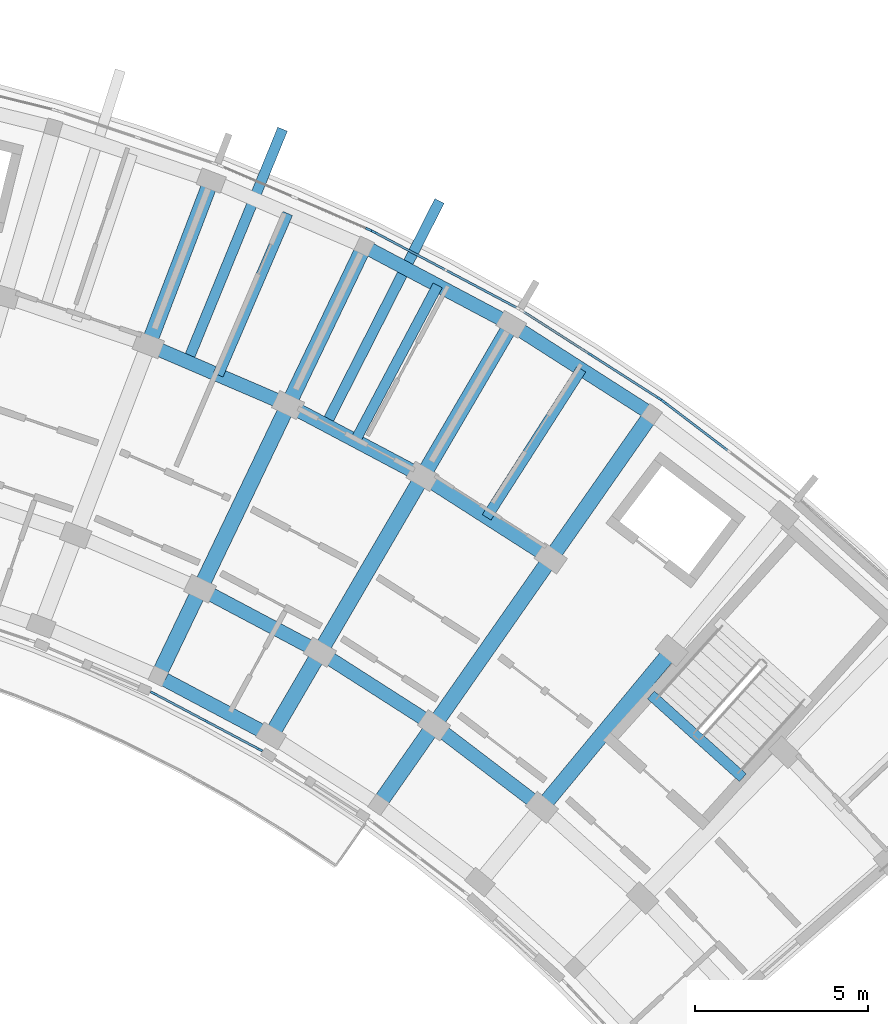
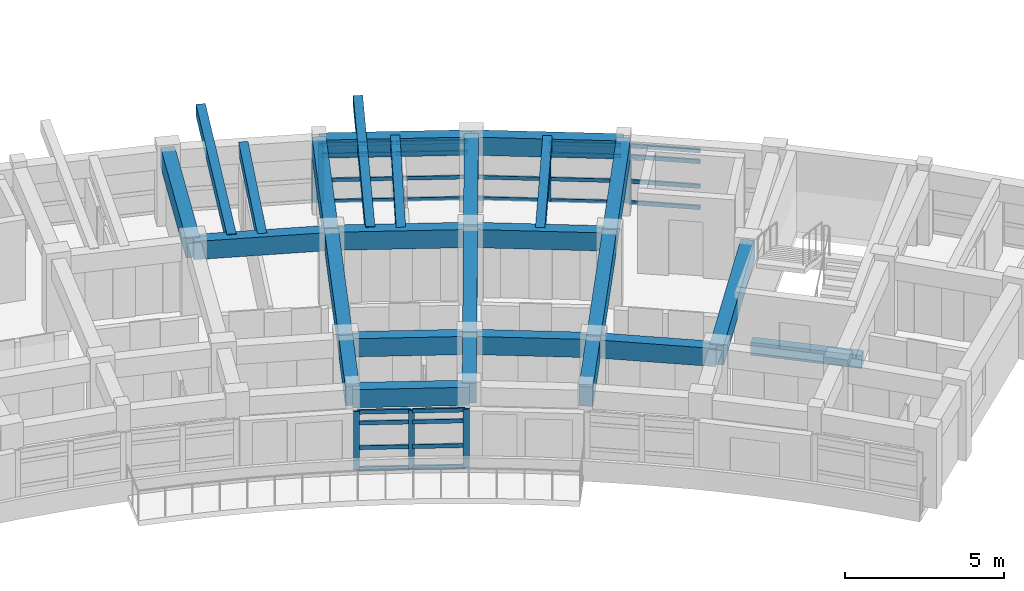
# One storey, part 14 of 56: 34 members, 26 beams, 5 elements without a shape of their own.
"""IFC4 building model written with IfcOpenShell, lengths in metres."""

from ifc_helpers import new_model, si_unit, direction, frame, origin, origin_2d, place, context, subcontext, project, spatial, rectangle, extrude, material, material_profile, profile_set, type_object, element, aggregate, save


model = new_model("IFC4")

# Units and contexts
model_context = context("Model", 3, precision=1e-05, world=origin(), true_north=direction((0.0, 1.0)))
body_context = subcontext(model_context, "Body", "Model", "MODEL_VIEW")
ifc_project = project(units=[si_unit("LENGTHUNIT", "METRE"), si_unit("AREAUNIT", "SQUARE_METRE"), si_unit("VOLUMEUNIT", "CUBIC_METRE"), si_unit("PLANEANGLEUNIT", "RADIAN"), si_unit("MASSUNIT", "GRAM", prefix="KILO")], contexts=[model_context])

# Site, building, storey
site_placement = place(None, origin())
site = spatial("IfcSite", under=ifc_project, at=site_placement, CompositionType="ELEMENT")
building_placement = place(site_placement, origin())
building = spatial("IfcBuilding", under=site, at=building_placement, Name="Zimvara Arc Housing Community", CompositionType="ELEMENT")
storey_placement = place(building_placement, frame((0.0, 0.0, 11.199951171875)))
storey = spatial("IfcBuildingStorey", under=building, at=storey_placement, Name="L03", CompositionType="ELEMENT", Elevation=11.199951171875)

# Beams
ifc_material_1 = material(Name="Concrete C40/50", Category="concrete")
ifc_material_profile_1 = material_profile(ifc_material_1, rectangle(XDim=0.300048828125, YDim=0.449951171875, at=origin_2d()), Name="RC 300x450")
ifc_profile_set_1 = profile_set([ifc_material_profile_1], Name="Concrete C40/50")
beam_type_1 = type_object("IfcBeamType", Name="BM-RC-300x450", PredefinedType="JOIST", material=ifc_profile_set_1)
beam_1_placement = place(storey_placement, frame((66.22802734375, 93.885986328125, 2.635009765625), z_axis=(0.394929109608, 0.918711596958, 0.0), x_axis=(-0.918711596958, 0.394929109608, 0.0)))
element("IfcBeam", 1, at=beam_1_placement, inside=storey, type_object=beam_type_1, Name="bm:blkB:L03:joist:b4", PredefinedType="JOIST", context=body_context, shape_type="SweptSolid", body=[
    extrude(rectangle(XDim=0.300048828125, YDim=0.449951171875, at=origin_2d()), origin(), (0.0, 0.0, 1.0), 5.075927734375),
])
for number, where, z_axis, x_axis, name in (
    (2, (70.186767578125, 91.9892578125, 2.635009765625), (0.46853732736, 0.883443701019, 0.0), (-0.883443701019, 0.46853732736, 0.0), "bm:blkB:L03:joist:b5"),
    (3, (73.9775390625, 89.776123046875, 2.635009765625), (0.539052331508, 0.842272274206, 0.0), (-0.842272274206, 0.539052331508, 0.0), "bm:blkB:L03:joist:b6"),
):
    element("IfcBeam", number, at=place(storey_placement, frame(where, z_axis=z_axis, x_axis=x_axis)), inside=storey, type_object=beam_type_1, Name=name, PredefinedType="JOIST", context=body_context, shape_type="SweptSolid", body=[
        extrude(rectangle(XDim=0.300048828125, YDim=0.449951171875, at=origin_2d()), origin(), (0.0, 0.0, 1.0), 5.07568359375),
    ])
for number, where, z_axis, x_axis, name in (
    (4, (65.354248046875, 94.301025390625, 2.6650390625), (0.37834711263, 0.925663795535, 0.0), (-0.925663795535, 0.37834711263, 0.0), "bm:blkB:L03:cant_out:b4"),
    (5, (69.349609375, 92.474365234375, 2.6650390625), (0.45261583812, 0.891705614585, 0.0), (-0.891705614585, 0.45261583812, 0.0), "bm:blkB:L03:cant_out:b5"),
):
    element("IfcBeam", number, at=place(storey_placement, frame(where, z_axis=z_axis, x_axis=x_axis)), inside=storey, type_object=beam_type_1, Name=name, PredefinedType="JOIST", context=body_context, shape_type="SweptSolid", body=[
        extrude(rectangle(XDim=0.300048828125, YDim=0.449951171875, at=origin_2d()), origin(), (0.0, 0.0, 1.0), 7.219970703125),
    ])
ifc_material_2 = material(Name="Concrete C40/50", Category="concrete")
ifc_material_profile_2 = material_profile(ifc_material_2, rectangle(XDim=0.300048828125, YDim=0.5, at=origin_2d()), Name="RC 300x500")
ifc_profile_set_2 = profile_set([ifc_material_profile_2], Name="Concrete C40/50")
beam_type_2 = type_object("IfcBeamType", Name="BM-RC-300x500", PredefinedType="BEAM", material=ifc_profile_set_2)
beam_2_placement = place(storey_placement, frame((81.375732421875, 82.259033203125, -0.25), z_axis=(-0.743362151162, 0.668889162881, 0.0), x_axis=(-0.668889162881, -0.743362151162, 0.0)))
element("IfcBeam", 6, at=beam_2_placement, inside=storey, type_object=beam_type_2, Name="bm:stair_trim:ST-B2:L03:near", PredefinedType="BEAM", context=body_context, shape_type="SweptSolid", body=[
    extrude(rectangle(XDim=0.300048828125, YDim=0.5, at=origin_2d()), origin(), (0.0, 0.0, 1.0), 3.570068359375),
])
ifc_material_3 = material(Name="Concrete C40/50", Category="concrete")
ifc_material_profile_3 = material_profile(ifc_material_3, rectangle(XDim=0.39990234375, YDim=0.699951171875, at=origin_2d()), Name="RC 400x700")
ifc_profile_set_3 = profile_set([ifc_material_profile_3], Name="Concrete C40/50")
beam_type_3 = type_object("IfcBeamType", Name="BM-RC-400x700", PredefinedType="BEAM", material=ifc_profile_set_3)
beam_3_placement = place(storey_placement, frame((64.49560546875, 85.190673828125, 2.510009765625), z_axis=(0.883449220086, -0.468526920815, 0.0), x_axis=(0.468526920815, 0.883449220086, 0.0)))
element("IfcBeam", 7, at=beam_3_placement, inside=storey, type_object=beam_type_3, Name="bm:blkB:L03:chord:r0:b5", PredefinedType="BEAM", context=body_context, shape_type="SweptSolid", body=[
    extrude(rectangle(XDim=0.39990234375, YDim=0.699951171875, at=origin_2d()), origin(), (0.0, 0.0, 1.0), 3.6845703125),
])
beam_4_placement = place(storey_placement, frame((65.70556640625, 87.7158203125, 2.510009765625), z_axis=(0.883438625159, -0.468546897948, 0.0), x_axis=(0.468546897948, 0.883438625159, 0.0)))
element("IfcBeam", 8, at=beam_4_placement, inside=storey, type_object=beam_type_3, Name="bm:blkB:L03:chord:r1:b5", PredefinedType="BEAM", context=body_context, shape_type="SweptSolid", body=[
    extrude(rectangle(XDim=0.39990234375, YDim=0.699951171875, at=origin_2d()), origin(), (0.0, 0.0, 1.0), 3.9130859375),
])
beam_5_placement = place(storey_placement, frame((69.16259765625, 85.88232421875, 2.510009765625), z_axis=(0.842253269878, -0.539082024724, 0.0), x_axis=(0.539082024724, 0.842253269878, 0.0)))
element("IfcBeam", 9, at=beam_5_placement, inside=storey, type_object=beam_type_3, Name="bm:blkB:L03:chord:r1:b6", PredefinedType="BEAM", context=body_context, shape_type="SweptSolid", body=[
    extrude(rectangle(XDim=0.39990234375, YDim=0.699951171875, at=origin_2d()), origin(), (0.0, 0.0, 1.0), 3.912841796875),
])
beam_6_placement = place(storey_placement, frame((72.458251953125, 83.77294921875, 2.510009765625), z_axis=(0.795470387579, -0.605992460749, 0.0), x_axis=(0.605992460749, 0.795470387579, 0.0)))
element("IfcBeam", 10, at=beam_6_placement, inside=storey, type_object=beam_type_3, Name="bm:blkB:L03:chord:r1:b7", PredefinedType="BEAM", context=body_context, shape_type="SweptSolid", body=[
    extrude(rectangle(XDim=0.39990234375, YDim=0.699951171875, at=origin_2d()), origin(), (0.0, 0.0, 1.0), 3.9130859375),
])
for number, where, z_axis, x_axis, name in (
    (11, (64.2099609375, 94.75341796875, 2.510009765625), (0.918724840088, -0.394898301093, 0.0), (0.394898301093, 0.918724840088, 0.0), "bm:blkB:L03:chord:r2:b4"),
    (12, (68.24609375, 93.0185546875, 2.510009765625), (0.883456526058, -0.468513144496, 0.0), (0.468513144496, 0.883456526058, 0.0), "bm:blkB:L03:chord:r2:b5"),
    (13, (72.12744140625, 90.960205078125, 2.510009765625), (0.842242131326, -0.539099427025, 0.0), (0.539099427025, 0.842242131326, 0.0), "bm:blkB:L03:chord:r2:b6"),
):
    element("IfcBeam", number, at=place(storey_placement, frame(where, z_axis=z_axis, x_axis=x_axis)), inside=storey, type_object=beam_type_3, Name=name, PredefinedType="BEAM", context=body_context, shape_type="SweptSolid", body=[
        extrude(rectangle(XDim=0.39990234375, YDim=0.699951171875, at=origin_2d()), origin(), (0.0, 0.0, 1.0), 4.393310546875),
    ])
beam_7_placement = place(storey_placement, frame((70.441162109375, 97.599853515625, 2.510009765625), z_axis=(0.883445542299, -0.468533855546, 0.0), x_axis=(0.468533855546, 0.883445542299, 0.0)))
element("IfcBeam", 14, at=beam_7_placement, inside=storey, type_object=beam_type_3, Name="bm:blkB:L03:chord:r3:b5", PredefinedType="BEAM", context=body_context, shape_type="SweptSolid", body=[
    extrude(rectangle(XDim=0.39990234375, YDim=0.699951171875, at=origin_2d()), origin(), (0.0, 0.0, 1.0), 4.807861328125),
])
beam_8_placement = place(storey_placement, frame((74.688720703125, 95.34716796875, 2.510009765625), z_axis=(0.842255724028, -0.539078190379, 0.0), x_axis=(0.539078190379, 0.842255724028, 0.0)))
element("IfcBeam", 15, at=beam_8_placement, inside=storey, type_object=beam_type_3, Name="bm:blkB:L03:chord:r3:b6", PredefinedType="BEAM", context=body_context, shape_type="SweptSolid", body=[
    extrude(rectangle(XDim=0.39990234375, YDim=0.699951171875, at=origin_2d()), origin(), (0.0, 0.0, 1.0), 4.808349609375),
])
ifc_material_4 = material(Name="Concrete C40/50", Category="concrete")
ifc_material_profile_4 = material_profile(ifc_material_4, rectangle(XDim=0.449951171875, YDim=0.75, at=origin_2d()), Name="RC 450x750")
ifc_profile_set_4 = profile_set([ifc_material_profile_4], Name="Concrete C40/50")
beam_type_4 = type_object("IfcBeamType", Name="BM-RC-450x750", PredefinedType="BEAM", material=ifc_profile_set_4)
beam_9_placement = place(storey_placement, frame((64.2099609375, 94.75341796875, 2.485107421875), z_axis=(0.357078271386, 0.934074466038, 0.0), x_axis=(-0.934074466038, 0.357078271386, 0.0)))
element("IfcBeam", 16, at=beam_9_placement, inside=storey, type_object=beam_type_4, Name="bm:blkB:L03:rad:b4:r23", PredefinedType="BEAM", context=body_context, shape_type="SweptSolid", body=[
    extrude(rectangle(XDim=0.449951171875, YDim=0.75, at=origin_2d()), origin(), (0.0, 0.0, 1.0), 5.080078125),
])
beam_10_placement = place(storey_placement, frame((64.49560546875, 85.190673828125, 2.485107421875), z_axis=(0.432118703138, 0.901816736593, 0.0), x_axis=(-0.901816736593, 0.432118703138, 0.0)))
element("IfcBeam", 17, at=beam_10_placement, inside=storey, type_object=beam_type_4, Name="bm:blkB:L03:rad:b5:r01", PredefinedType="BEAM", context=body_context, shape_type="SweptSolid", body=[
    extrude(rectangle(XDim=0.449951171875, YDim=0.75, at=origin_2d()), origin(), (0.0, 0.0, 1.0), 2.800048828125),
])
beam_11_placement = place(storey_placement, frame((65.70556640625, 87.7158203125, 2.485107421875), z_axis=(0.432069527705, 0.901840298073, 0.0), x_axis=(-0.901840298073, 0.432069527705, 0.0)))
element("IfcBeam", 18, at=beam_11_placement, inside=storey, type_object=beam_type_4, Name="bm:blkB:L03:rad:b5:r12", PredefinedType="BEAM", context=body_context, shape_type="SweptSolid", body=[
    extrude(rectangle(XDim=0.449951171875, YDim=0.75, at=origin_2d()), origin(), (0.0, 0.0, 1.0), 5.8798828125),
])
beam_12_placement = place(storey_placement, frame((68.24609375, 93.0185546875, 2.485107421875), z_axis=(0.432098194978, 0.901826563091, 0.0), x_axis=(-0.901826563091, 0.432098194978, 0.0)))
element("IfcBeam", 19, at=beam_12_placement, inside=storey, type_object=beam_type_4, Name="bm:blkB:L03:rad:b5:r23", PredefinedType="BEAM", context=body_context, shape_type="SweptSolid", body=[
    extrude(rectangle(XDim=0.449951171875, YDim=0.75, at=origin_2d()), origin(), (0.0, 0.0, 1.0), 5.080078125),
])
beam_13_placement = place(storey_placement, frame((67.750732421875, 83.46435546875, 2.485107421875), z_axis=(0.504239631668, 0.86356377521, 0.0), x_axis=(-0.86356377521, 0.504239631668, 0.0)))
element("IfcBeam", 20, at=beam_13_placement, inside=storey, type_object=beam_type_4, Name="bm:blkB:L03:rad:b6:r01", PredefinedType="BEAM", context=body_context, shape_type="SweptSolid", body=[
    extrude(rectangle(XDim=0.449951171875, YDim=0.75, at=origin_2d()), origin(), (0.0, 0.0, 1.0), 2.800048828125),
])
beam_14_placement = place(storey_placement, frame((69.16259765625, 85.88232421875, 2.485107421875), z_axis=(0.504219494781, 0.863575532934, 0.0), x_axis=(-0.863575532934, 0.504219494781, 0.0)))
element("IfcBeam", 21, at=beam_14_placement, inside=storey, type_object=beam_type_4, Name="bm:blkB:L03:rad:b6:r12", PredefinedType="BEAM", context=body_context, shape_type="SweptSolid", body=[
    extrude(rectangle(XDim=0.449951171875, YDim=0.75, at=origin_2d()), origin(), (0.0, 0.0, 1.0), 5.880126953125),
])
beam_15_placement = place(storey_placement, frame((72.12744140625, 90.960205078125, 2.485107421875), z_axis=(0.504196701544, 0.863588840915, 0.0), x_axis=(-0.863588840915, 0.504196701544, 0.0)))
element("IfcBeam", 22, at=beam_15_placement, inside=storey, type_object=beam_type_4, Name="bm:blkB:L03:rad:b6:r23", PredefinedType="BEAM", context=body_context, shape_type="SweptSolid", body=[
    extrude(rectangle(XDim=0.449951171875, YDim=0.75, at=origin_2d()), origin(), (0.0, 0.0, 1.0), 5.079833984375),
])
beam_16_placement = place(storey_placement, frame((70.85400390625, 81.478271484375, 2.485107421875), z_axis=(0.57297651105, 0.819571789281, 0.0), x_axis=(-0.819571789281, 0.57297651105, 0.0)))
element("IfcBeam", 23, at=beam_16_placement, inside=storey, type_object=beam_type_4, Name="bm:blkB:L03:rad:b7:r01", PredefinedType="BEAM", context=body_context, shape_type="SweptSolid", body=[
    extrude(rectangle(XDim=0.449951171875, YDim=0.75, at=origin_2d()), origin(), (0.0, 0.0, 1.0), 2.7998046875),
])
beam_17_placement = place(storey_placement, frame((72.458251953125, 83.77294921875, 2.485107421875), z_axis=(0.573027549978, 0.819536104736, 0.0), x_axis=(-0.819536104736, 0.573027549978, 0.0)))
element("IfcBeam", 24, at=beam_17_placement, inside=storey, type_object=beam_type_4, Name="bm:blkB:L03:rad:b7:r12", PredefinedType="BEAM", context=body_context, shape_type="SweptSolid", body=[
    extrude(rectangle(XDim=0.449951171875, YDim=0.75, at=origin_2d()), origin(), (0.0, 0.0, 1.0), 5.8798828125),
])
beam_18_placement = place(storey_placement, frame((75.82763671875, 88.591796875, 2.485107421875), z_axis=(0.573007469479, 0.819550144848, 0.0), x_axis=(-0.819550144848, 0.573007469479, 0.0)))
element("IfcBeam", 25, at=beam_18_placement, inside=storey, type_object=beam_type_4, Name="bm:blkB:L03:rad:b7:r23", PredefinedType="BEAM", context=body_context, shape_type="SweptSolid", body=[
    extrude(rectangle(XDim=0.449951171875, YDim=0.75, at=origin_2d()), origin(), (0.0, 0.0, 1.0), 5.080078125),
])
beam_19_placement = place(storey_placement, frame((75.571044921875, 81.401611328125, 2.485107421875), z_axis=(0.637955964415, 0.770072845559, 0.0), x_axis=(-0.770072845559, 0.637955964415, 0.0)))
element("IfcBeam", 26, at=beam_19_placement, inside=storey, type_object=beam_type_4, Name="bm:blkB:L03:rad:b8:r12", PredefinedType="BEAM", context=body_context, shape_type="SweptSolid", body=[
    extrude(rectangle(XDim=0.449951171875, YDim=0.75, at=origin_2d()), origin(), (0.0, 0.0, 1.0), 5.880126953125),
])

# Curtain wall, member
ifc_material_5 = material(Name="Anodised Aluminium AW-6063", Category="aluminium")
curtain_wall_type_1 = type_object("IfcCurtainWallType", Name="CW-SYS-06", PredefinedType="USERDEFINED", material=ifc_material_5)
curtain_wall_1_placement = place(storey_placement, origin())
curtain_wall_1 = element("IfcCurtainWall", 27, at=curtain_wall_1_placement, inside=storey, type_object=curtain_wall_type_1, Name="cw:blkB:L03:out:b5", ObjectType="CURTAIN WALL", PredefinedType="USERDEFINED")
ifc_material_6 = material(Name="Anodised Aluminium AW-6063", Category="aluminium")
ifc_material_profile_5 = material_profile(ifc_material_6, rectangle(XDim=0.06494140625, YDim=0.179931640625, at=origin_2d()), Name="ALU 65x180")
ifc_profile_set_5 = profile_set([ifc_material_profile_5], Name="Anodised Aluminium AW-6063")
member_type_1 = type_object("IfcMemberType", Name="CWM-65x150", PredefinedType="MULLION", material=ifc_profile_set_5)
member_1_placement = place(storey_placement, frame((70.739013671875, 98.007568359375, 0.0), z_axis=(0.0, 0.0, 1.0), x_axis=(0.468546917761, 0.883438614651, 0.0)))
member_1 = element("IfcMember", 28, at=member_1_placement, type_object=member_type_1, Name="CW06 mullion 1", PredefinedType="MULLION", context=body_context, shape_type="SweptSolid", body=[
    extrude(rectangle(XDim=0.06494140625, YDim=0.179931640625, at=origin_2d()), origin(), (0.0, 0.0, 1.0), 2.25),
])

# Curtain wall, members
ifc_material_7 = material(Name="Anodised Aluminium AW-6063", Category="aluminium")
curtain_wall_type_2 = type_object("IfcCurtainWallType", Name="CW-SYS-08", PredefinedType="USERDEFINED", material=ifc_material_7)
curtain_wall_2_placement = place(storey_placement, origin())
curtain_wall_2 = element("IfcCurtainWall", 29, at=curtain_wall_2_placement, inside=storey, type_object=curtain_wall_type_2, Name="cw:blkB:L03:out:b6", ObjectType="CURTAIN WALL", PredefinedType="USERDEFINED")
member_2_placement = place(storey_placement, frame((76.98291015625, 94.471923828125, 0.0), z_axis=(0.0, 0.0, 1.0), x_axis=(0.539064617721, 0.842264410931, 0.0)))
member_2 = element("IfcMember", 30, at=member_2_placement, type_object=member_type_1, Name="CW08 mullion 2", PredefinedType="MULLION", context=body_context, shape_type="SweptSolid", body=[
    extrude(rectangle(XDim=0.06494140625, YDim=0.179931640625, at=origin_2d()), origin(), (0.0, 0.0, 1.0), 2.25),
])
member_3_placement = place(storey_placement, frame((78.947021484375, 93.21484375, 0.0), z_axis=(0.0, 0.0, 1.0), x_axis=(0.539064617721, 0.842264410931, 0.0)))
member_3 = element("IfcMember", 31, at=member_3_placement, type_object=member_type_1, Name="CW08 mullion 3", PredefinedType="MULLION", context=body_context, shape_type="SweptSolid", body=[
    extrude(rectangle(XDim=0.06494140625, YDim=0.179931640625, at=origin_2d()), origin(), (0.0, 0.0, 1.0), 2.25),
])

# Curtain wall, member
ifc_material_8 = material(Name="Anodised Aluminium AW-6063", Category="aluminium")
curtain_wall_type_3 = type_object("IfcCurtainWallType", Name="CW-SYS-05", PredefinedType="USERDEFINED", material=ifc_material_8)
curtain_wall_3_placement = place(storey_placement, origin())
curtain_wall_3 = element("IfcCurtainWall", 32, at=curtain_wall_3_placement, inside=storey, type_object=curtain_wall_type_3, Name="cw:blkB:L03:out:b4", ObjectType="CURTAIN WALL", PredefinedType="USERDEFINED")
ifc_material_9 = material(Name="Anodised Aluminium AW-6063", Category="aluminium")
ifc_material_profile_6 = material_profile(ifc_material_9, rectangle(XDim=0.06494140625, YDim=0.195068359375, at=origin_2d()), Name="ALU 65x195")
ifc_profile_set_6 = profile_set([ifc_material_profile_6], Name="Anodised Aluminium AW-6063")
member_type_2 = type_object("IfcMemberType", Name="CWM-65x180", PredefinedType="MULLION", material=ifc_profile_set_6)
member_4_placement = place(storey_placement, frame((70.572265625, 98.08740234375, 0.0), z_axis=(0.0, 0.0, 1.0), x_axis=(0.394904211998, 0.918722299363, 0.0)))
member_4 = element("IfcMember", 33, at=member_4_placement, type_object=member_type_2, Name="CW05 mullion 3", PredefinedType="MULLION", context=body_context, shape_type="SweptSolid", body=[
    extrude(rectangle(XDim=0.06494140625, YDim=0.195068359375, at=origin_2d()), origin(), (0.0, 0.0, 1.0), 2.25),
])
aggregate(curtain_wall_3, [member_4])

# Curtain wall, members
ifc_material_10 = material(Name="Anodised Aluminium AW-6063", Category="aluminium")
curtain_wall_type_4 = type_object("IfcCurtainWallType", Name="CW-SYS-07", PredefinedType="USERDEFINED", material=ifc_material_10)
curtain_wall_4_placement = place(storey_placement, origin())
curtain_wall_4 = element("IfcCurtainWall", 34, at=curtain_wall_4_placement, inside=storey, type_object=curtain_wall_type_4, Name="cw:blkB:L03:in:b5", ObjectType="CURTAIN WALL", PredefinedType="USERDEFINED")
member_5_placement = place(storey_placement, frame((64.361328125, 84.696533203125, 0.0), z_axis=(0.0, 0.0, 1.0), x_axis=(0.468544648573, 0.88343981815, 0.0)))
member_5 = element("IfcMember", 35, at=member_5_placement, type_object=member_type_2, Name="CW07 mullion 1", PredefinedType="MULLION", context=body_context, shape_type="SweptSolid", body=[
    extrude(rectangle(XDim=0.06494140625, YDim=0.195068359375, at=origin_2d()), origin(), (0.0, 0.0, 1.0), 2.25),
])
member_6_placement = place(storey_placement, frame((65.88916015625, 83.88623046875, 0.0), z_axis=(0.0, 0.0, 1.0), x_axis=(0.468544648573, 0.88343981815, 0.0)))
member_6 = element("IfcMember", 36, at=member_6_placement, type_object=member_type_2, Name="CW07 mullion 2", PredefinedType="MULLION", context=body_context, shape_type="SweptSolid", body=[
    extrude(rectangle(XDim=0.06494140625, YDim=0.195068359375, at=origin_2d()), origin(), (0.0, 0.0, 1.0), 2.25),
])
member_7_placement = place(storey_placement, frame((67.416748046875, 83.075927734375, 0.0), z_axis=(0.0, 0.0, 1.0), x_axis=(0.468544648573, 0.88343981815, 0.0)))
member_7 = element("IfcMember", 37, at=member_7_placement, type_object=member_type_2, Name="CW07 mullion 3", PredefinedType="MULLION", context=body_context, shape_type="SweptSolid", body=[
    extrude(rectangle(XDim=0.06494140625, YDim=0.195068359375, at=origin_2d()), origin(), (0.0, 0.0, 1.0), 2.25),
])

# Curtain wall, member
ifc_material_11 = material(Name="Anodised Aluminium AW-6063", Category="aluminium")
curtain_wall_type_5 = type_object("IfcCurtainWallType", Name="CW-SYS-01", PredefinedType="USERDEFINED", material=ifc_material_11)
curtain_wall_5_placement = place(storey_placement, origin())
curtain_wall_5 = element("IfcCurtainWall", 38, at=curtain_wall_5_placement, inside=storey, type_object=curtain_wall_type_5, Name="cw:blkB:L03:out:b7", ObjectType="CURTAIN WALL", PredefinedType="USERDEFINED")
member_8_placement = place(storey_placement, frame((79.0986328125, 93.10888671875, 0.0), z_axis=(0.0, 0.0, 1.0), x_axis=(0.60598771987, 0.795473999177, 0.0)))
member_8 = element("IfcMember", 39, at=member_8_placement, type_object=member_type_2, Name="CW01 mullion 1", PredefinedType="MULLION", context=body_context, shape_type="SweptSolid", body=[
    extrude(rectangle(XDim=0.06494140625, YDim=0.195068359375, at=origin_2d()), origin(), (0.0, 0.0, 1.0), 2.25),
])

# Member
ifc_material_12 = material(Name="Anodised Aluminium AW-6063", Category="aluminium")
ifc_material_profile_7 = material_profile(ifc_material_12, rectangle(XDim=0.06494140625, YDim=0.139892578125, at=origin_2d()), Name="ALU 65x140")
ifc_profile_set_7 = profile_set([ifc_material_profile_7], Name="Anodised Aluminium AW-6063")
member_type_3 = type_object("IfcMemberType", Name="CWT-65x120", PredefinedType="USERDEFINED", material=ifc_profile_set_7)
member_9_placement = place(storey_placement, frame((70.767578125, 97.9921875, 0.032470703125), z_axis=(0.883489114766, -0.468451688107, 0.0), x_axis=(0.468451688107, 0.883489114766, 0.0)))
member_9 = element("IfcMember", 40, at=member_9_placement, type_object=member_type_3, Name="CW06 transom 1.1", ObjectType="TRANSOM", PredefinedType="USERDEFINED", context=body_context, shape_type="SweptSolid", body=[
    extrude(rectangle(XDim=0.06494140625, YDim=0.139892578125, at=origin_2d()), origin(), (0.0, 0.0, 1.0), 2.26708984375),
])

member_10_placement = place(storey_placement, frame((70.767578125, 97.9921875, 0.85009765625), z_axis=(0.883489114766, -0.468451688107, 0.0), x_axis=(0.468451688107, 0.883489114766, 0.0)))
member_10 = element("IfcMember", 41, at=member_10_placement, type_object=member_type_3, Name="CW06 transom 1.2", ObjectType="TRANSOM", PredefinedType="USERDEFINED", context=body_context, shape_type="SweptSolid", body=[
    extrude(rectangle(XDim=0.06494140625, YDim=0.139892578125, at=origin_2d()), origin(), (0.0, 0.0, 1.0), 2.26708984375),
])

member_11_placement = place(storey_placement, frame((70.767578125, 97.9921875, 1.800048828125), z_axis=(0.883489114766, -0.468451688107, 0.0), x_axis=(0.468451688107, 0.883489114766, 0.0)))
member_11 = element("IfcMember", 42, at=member_11_placement, type_object=member_type_3, Name="CW06 transom 1.3", ObjectType="TRANSOM", PredefinedType="USERDEFINED", context=body_context, shape_type="SweptSolid", body=[
    extrude(rectangle(XDim=0.06494140625, YDim=0.139892578125, at=origin_2d()), origin(), (0.0, 0.0, 1.0), 2.26708984375),
])

member_12_placement = place(storey_placement, frame((70.767578125, 97.9921875, 2.217529296875), z_axis=(0.883489114766, -0.468451688107, 0.0), x_axis=(0.468451688107, 0.883489114766, 0.0)))
member_12 = element("IfcMember", 43, at=member_12_placement, type_object=member_type_3, Name="CW06 transom 1.4", ObjectType="TRANSOM", PredefinedType="USERDEFINED", context=body_context, shape_type="SweptSolid", body=[
    extrude(rectangle(XDim=0.06494140625, YDim=0.139892578125, at=origin_2d()), origin(), (0.0, 0.0, 1.0), 2.26708984375),
])

member_13_placement = place(storey_placement, frame((72.827880859375, 96.899658203125, 0.032470703125), z_axis=(0.883420900208, -0.468580316568, 0.0), x_axis=(0.468580316568, 0.883420900208, 0.0)))
member_13 = element("IfcMember", 44, at=member_13_placement, type_object=member_type_3, Name="CW06 transom 2.1", ObjectType="TRANSOM", PredefinedType="USERDEFINED", context=body_context, shape_type="SweptSolid", body=[
    extrude(rectangle(XDim=0.06494140625, YDim=0.139892578125, at=origin_2d()), origin(), (0.0, 0.0, 1.0), 2.266845703125),
])

member_14_placement = place(storey_placement, frame((72.827880859375, 96.899658203125, 0.85009765625), z_axis=(0.883420900208, -0.468580316568, 0.0), x_axis=(0.468580316568, 0.883420900208, 0.0)))
member_14 = element("IfcMember", 45, at=member_14_placement, type_object=member_type_3, Name="CW06 transom 2.2", ObjectType="TRANSOM", PredefinedType="USERDEFINED", context=body_context, shape_type="SweptSolid", body=[
    extrude(rectangle(XDim=0.06494140625, YDim=0.139892578125, at=origin_2d()), origin(), (0.0, 0.0, 1.0), 2.266845703125),
])

member_15_placement = place(storey_placement, frame((72.827880859375, 96.899658203125, 1.800048828125), z_axis=(0.883420900208, -0.468580316568, 0.0), x_axis=(0.468580316568, 0.883420900208, 0.0)))
member_15 = element("IfcMember", 46, at=member_15_placement, type_object=member_type_3, Name="CW06 transom 2.3", ObjectType="TRANSOM", PredefinedType="USERDEFINED", context=body_context, shape_type="SweptSolid", body=[
    extrude(rectangle(XDim=0.06494140625, YDim=0.139892578125, at=origin_2d()), origin(), (0.0, 0.0, 1.0), 2.266845703125),
])

member_16_placement = place(storey_placement, frame((72.827880859375, 96.899658203125, 2.217529296875), z_axis=(0.883420900208, -0.468580316568, 0.0), x_axis=(0.468580316568, 0.883420900208, 0.0)))
member_16 = element("IfcMember", 47, at=member_16_placement, type_object=member_type_3, Name="CW06 transom 2.4", ObjectType="TRANSOM", PredefinedType="USERDEFINED", context=body_context, shape_type="SweptSolid", body=[
    extrude(rectangle(XDim=0.06494140625, YDim=0.139892578125, at=origin_2d()), origin(), (0.0, 0.0, 1.0), 2.266845703125),
])

aggregate(curtain_wall_1, [member_1, member_9, member_10, member_11, member_12, member_13, member_14, member_15, member_16])

member_17_placement = place(storey_placement, frame((75.046142578125, 95.71142578125, 0.032470703125), z_axis=(0.842292914806, -0.539020079095, 0.0), x_axis=(0.539020079095, 0.842292914806, 0.0)))
member_17 = element("IfcMember", 48, at=member_17_placement, type_object=member_type_3, Name="CW08 transom 1.1", ObjectType="TRANSOM", PredefinedType="USERDEFINED", context=body_context, shape_type="SweptSolid", body=[
    extrude(rectangle(XDim=0.06494140625, YDim=0.139892578125, at=origin_2d()), origin(), (0.0, 0.0, 1.0), 2.266845703125),
])

member_18_placement = place(storey_placement, frame((75.046142578125, 95.71142578125, 0.85009765625), z_axis=(0.842292914806, -0.539020079095, 0.0), x_axis=(0.539020079095, 0.842292914806, 0.0)))
member_18 = element("IfcMember", 49, at=member_18_placement, type_object=member_type_3, Name="CW08 transom 1.2", ObjectType="TRANSOM", PredefinedType="USERDEFINED", context=body_context, shape_type="SweptSolid", body=[
    extrude(rectangle(XDim=0.06494140625, YDim=0.139892578125, at=origin_2d()), origin(), (0.0, 0.0, 1.0), 2.266845703125),
])

member_19_placement = place(storey_placement, frame((77.01025390625, 94.454345703125, 0.032470703125), z_axis=(0.842292914806, -0.539020079095, 0.0), x_axis=(0.539020079095, 0.842292914806, 0.0)))
member_19 = element("IfcMember", 50, at=member_19_placement, type_object=member_type_3, Name="CW08 transom 2.1", ObjectType="TRANSOM", PredefinedType="USERDEFINED", context=body_context, shape_type="SweptSolid", body=[
    extrude(rectangle(XDim=0.06494140625, YDim=0.139892578125, at=origin_2d()), origin(), (0.0, 0.0, 1.0), 2.266845703125),
])

member_20_placement = place(storey_placement, frame((77.01025390625, 94.454345703125, 0.85009765625), z_axis=(0.842292914806, -0.539020079095, 0.0), x_axis=(0.539020079095, 0.842292914806, 0.0)))
member_20 = element("IfcMember", 51, at=member_20_placement, type_object=member_type_3, Name="CW08 transom 2.2", ObjectType="TRANSOM", PredefinedType="USERDEFINED", context=body_context, shape_type="SweptSolid", body=[
    extrude(rectangle(XDim=0.06494140625, YDim=0.139892578125, at=origin_2d()), origin(), (0.0, 0.0, 1.0), 2.266845703125),
])

member_21_placement = place(storey_placement, frame((77.01025390625, 94.454345703125, 1.800048828125), z_axis=(0.842292914806, -0.539020079095, 0.0), x_axis=(0.539020079095, 0.842292914806, 0.0)))
member_21 = element("IfcMember", 52, at=member_21_placement, type_object=member_type_3, Name="CW08 transom 2.3", ObjectType="TRANSOM", PredefinedType="USERDEFINED", context=body_context, shape_type="SweptSolid", body=[
    extrude(rectangle(XDim=0.06494140625, YDim=0.139892578125, at=origin_2d()), origin(), (0.0, 0.0, 1.0), 2.266845703125),
])

member_22_placement = place(storey_placement, frame((77.01025390625, 94.454345703125, 2.217529296875), z_axis=(0.842292914806, -0.539020079095, 0.0), x_axis=(0.539020079095, 0.842292914806, 0.0)))
member_22 = element("IfcMember", 53, at=member_22_placement, type_object=member_type_3, Name="CW08 transom 2.4", ObjectType="TRANSOM", PredefinedType="USERDEFINED", context=body_context, shape_type="SweptSolid", body=[
    extrude(rectangle(XDim=0.06494140625, YDim=0.139892578125, at=origin_2d()), origin(), (0.0, 0.0, 1.0), 2.266845703125),
])

aggregate(curtain_wall_2, [member_2, member_3, member_17, member_18, member_19, member_20, member_21, member_22])

ifc_material_13 = material(Name="Anodised Aluminium AW-6063", Category="aluminium")
ifc_material_profile_8 = material_profile(ifc_material_13, rectangle(XDim=0.06494140625, YDim=0.155029296875, at=origin_2d()), Name="ALU 65x155")
ifc_profile_set_8 = profile_set([ifc_material_profile_8], Name="Anodised Aluminium AW-6063")
member_type_4 = type_object("IfcMemberType", Name="CWT-65x140", PredefinedType="USERDEFINED", material=ifc_profile_set_8)
member_23_placement = place(storey_placement, frame((64.39013671875, 84.68115234375, 0.032470703125), z_axis=(0.8834308201, -0.468561613982, 0.0), x_axis=(0.468561613982, 0.8834308201, 0.0)))
member_23 = element("IfcMember", 54, at=member_23_placement, type_object=member_type_4, Name="CW07 transom 1.1", ObjectType="TRANSOM", PredefinedType="USERDEFINED", context=body_context, shape_type="SweptSolid", body=[
    extrude(rectangle(XDim=0.06494140625, YDim=0.155029296875, at=origin_2d()), origin(), (0.0, 0.0, 1.0), 1.664306640625),
])

member_24_placement = place(storey_placement, frame((64.39013671875, 84.68115234375, 0.85009765625), z_axis=(0.8834308201, -0.468561613982, 0.0), x_axis=(0.468561613982, 0.8834308201, 0.0)))
member_24 = element("IfcMember", 55, at=member_24_placement, type_object=member_type_4, Name="CW07 transom 1.2", ObjectType="TRANSOM", PredefinedType="USERDEFINED", context=body_context, shape_type="SweptSolid", body=[
    extrude(rectangle(XDim=0.06494140625, YDim=0.155029296875, at=origin_2d()), origin(), (0.0, 0.0, 1.0), 1.664306640625),
])

member_25_placement = place(storey_placement, frame((64.39013671875, 84.68115234375, 1.800048828125), z_axis=(0.8834308201, -0.468561613982, 0.0), x_axis=(0.468561613982, 0.8834308201, 0.0)))
member_25 = element("IfcMember", 56, at=member_25_placement, type_object=member_type_4, Name="CW07 transom 1.3", ObjectType="TRANSOM", PredefinedType="USERDEFINED", context=body_context, shape_type="SweptSolid", body=[
    extrude(rectangle(XDim=0.06494140625, YDim=0.155029296875, at=origin_2d()), origin(), (0.0, 0.0, 1.0), 1.664306640625),
])

member_26_placement = place(storey_placement, frame((64.39013671875, 84.68115234375, 2.217529296875), z_axis=(0.8834308201, -0.468561613982, 0.0), x_axis=(0.468561613982, 0.8834308201, 0.0)))
member_26 = element("IfcMember", 57, at=member_26_placement, type_object=member_type_4, Name="CW07 transom 1.4", ObjectType="TRANSOM", PredefinedType="USERDEFINED", context=body_context, shape_type="SweptSolid", body=[
    extrude(rectangle(XDim=0.06494140625, YDim=0.155029296875, at=origin_2d()), origin(), (0.0, 0.0, 1.0), 1.664306640625),
])

member_27_placement = place(storey_placement, frame((65.917724609375, 83.870849609375, 0.032470703125), z_axis=(0.883463021947, -0.468500895252, 0.0), x_axis=(0.468500895252, 0.883463021947, 0.0)))
member_27 = element("IfcMember", 58, at=member_27_placement, type_object=member_type_4, Name="CW07 transom 2.1", ObjectType="TRANSOM", PredefinedType="USERDEFINED", context=body_context, shape_type="SweptSolid", body=[
    extrude(rectangle(XDim=0.06494140625, YDim=0.155029296875, at=origin_2d()), origin(), (0.0, 0.0, 1.0), 1.664306640625),
])

member_28_placement = place(storey_placement, frame((65.917724609375, 83.870849609375, 0.85009765625), z_axis=(0.883463021947, -0.468500895252, 0.0), x_axis=(0.468500895252, 0.883463021947, 0.0)))
member_28 = element("IfcMember", 59, at=member_28_placement, type_object=member_type_4, Name="CW07 transom 2.2", ObjectType="TRANSOM", PredefinedType="USERDEFINED", context=body_context, shape_type="SweptSolid", body=[
    extrude(rectangle(XDim=0.06494140625, YDim=0.155029296875, at=origin_2d()), origin(), (0.0, 0.0, 1.0), 1.664306640625),
])

member_29_placement = place(storey_placement, frame((65.917724609375, 83.870849609375, 1.800048828125), z_axis=(0.883463021947, -0.468500895252, 0.0), x_axis=(0.468500895252, 0.883463021947, 0.0)))
member_29 = element("IfcMember", 60, at=member_29_placement, type_object=member_type_4, Name="CW07 transom 2.3", ObjectType="TRANSOM", PredefinedType="USERDEFINED", context=body_context, shape_type="SweptSolid", body=[
    extrude(rectangle(XDim=0.06494140625, YDim=0.155029296875, at=origin_2d()), origin(), (0.0, 0.0, 1.0), 1.664306640625),
])

member_30_placement = place(storey_placement, frame((65.917724609375, 83.870849609375, 2.217529296875), z_axis=(0.883463021947, -0.468500895252, 0.0), x_axis=(0.468500895252, 0.883463021947, 0.0)))
member_30 = element("IfcMember", 61, at=member_30_placement, type_object=member_type_4, Name="CW07 transom 2.4", ObjectType="TRANSOM", PredefinedType="USERDEFINED", context=body_context, shape_type="SweptSolid", body=[
    extrude(rectangle(XDim=0.06494140625, YDim=0.155029296875, at=origin_2d()), origin(), (0.0, 0.0, 1.0), 1.664306640625),
])

aggregate(curtain_wall_4, [member_5, member_6, member_7, member_23, member_24, member_25, member_26, member_27, member_28, member_29, member_30])

member_31_placement = place(storey_placement, frame((79.12451171875, 93.08935546875, 0.032470703125), z_axis=(0.795453969776, -0.606014011363, 0.0), x_axis=(0.606014011363, 0.795453969776, 0.0)))
member_31 = element("IfcMember", 62, at=member_31_placement, type_object=member_type_4, Name="CW01 transom 1.1", ObjectType="TRANSOM", PredefinedType="USERDEFINED", context=body_context, shape_type="SweptSolid", body=[
    extrude(rectangle(XDim=0.06494140625, YDim=0.155029296875, at=origin_2d()), origin(), (0.0, 0.0, 1.0), 2.266845703125),
])

member_32_placement = place(storey_placement, frame((79.12451171875, 93.08935546875, 0.85009765625), z_axis=(0.795453969776, -0.606014011363, 0.0), x_axis=(0.606014011363, 0.795453969776, 0.0)))
member_32 = element("IfcMember", 63, at=member_32_placement, type_object=member_type_4, Name="CW01 transom 1.2", ObjectType="TRANSOM", PredefinedType="USERDEFINED", context=body_context, shape_type="SweptSolid", body=[
    extrude(rectangle(XDim=0.06494140625, YDim=0.155029296875, at=origin_2d()), origin(), (0.0, 0.0, 1.0), 2.266845703125),
])

member_33_placement = place(storey_placement, frame((79.12451171875, 93.08935546875, 1.800048828125), z_axis=(0.795453969776, -0.606014011363, 0.0), x_axis=(0.606014011363, 0.795453969776, 0.0)))
member_33 = element("IfcMember", 64, at=member_33_placement, type_object=member_type_4, Name="CW01 transom 1.3", ObjectType="TRANSOM", PredefinedType="USERDEFINED", context=body_context, shape_type="SweptSolid", body=[
    extrude(rectangle(XDim=0.06494140625, YDim=0.155029296875, at=origin_2d()), origin(), (0.0, 0.0, 1.0), 2.266845703125),
])

member_34_placement = place(storey_placement, frame((79.12451171875, 93.08935546875, 2.217529296875), z_axis=(0.795453969776, -0.606014011363, 0.0), x_axis=(0.606014011363, 0.795453969776, 0.0)))
member_34 = element("IfcMember", 65, at=member_34_placement, type_object=member_type_4, Name="CW01 transom 1.4", ObjectType="TRANSOM", PredefinedType="USERDEFINED", context=body_context, shape_type="SweptSolid", body=[
    extrude(rectangle(XDim=0.06494140625, YDim=0.155029296875, at=origin_2d()), origin(), (0.0, 0.0, 1.0), 2.266845703125),
])

aggregate(curtain_wall_5, [member_8, member_31, member_32, member_33, member_34])

save(model, "model.ifc")
